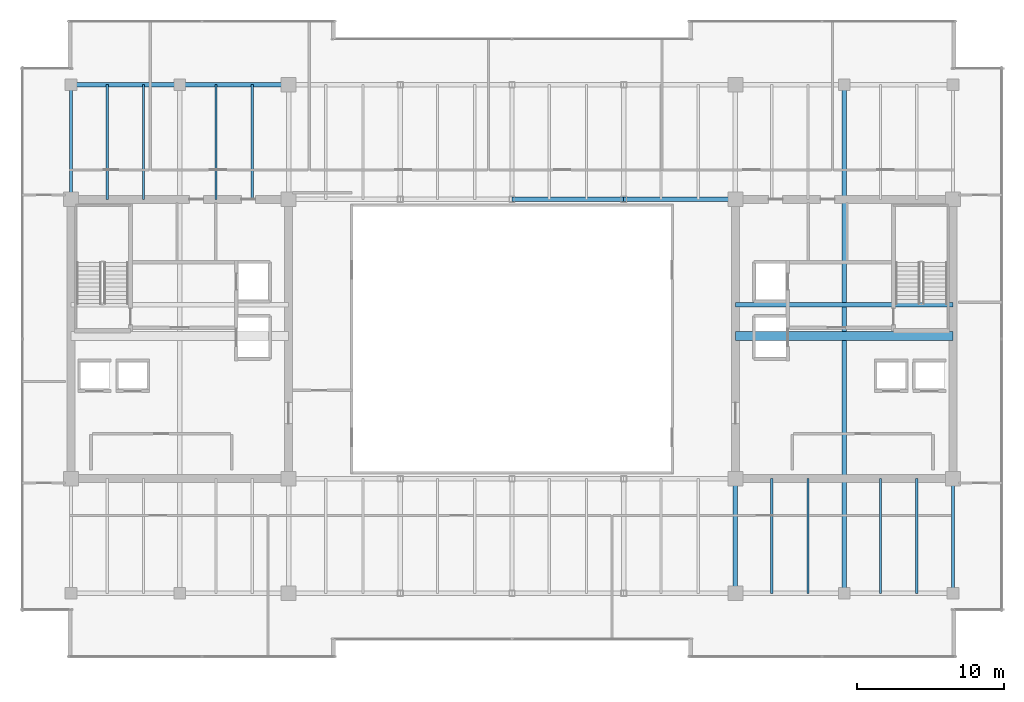
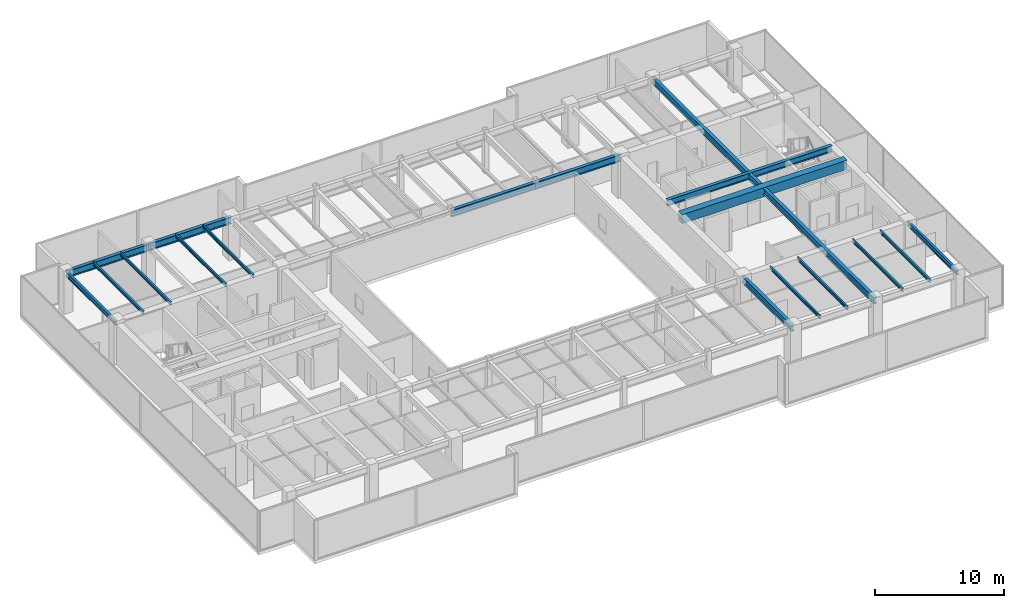
# One storey, part 14 of 33: 18 beams.
"""IFC4 building model written with IfcOpenShell, lengths in metres."""

from ifc_helpers import new_model, si_unit, direction, frame, origin, origin_2d, place, context, subcontext, project, spatial, rectangle, i_section, extrude, source, transform, mapped, material, material_profile, profile_set, type_object, type_shapes, element, save


model = new_model("IFC4")

# Units and contexts
model_context = context("Model", 3, precision=1e-05, world=origin(), true_north=direction((0.0, 1.0)))
body_context = subcontext(model_context, "Body", "Model", "MODEL_VIEW")
ifc_project = project(units=[si_unit("LENGTHUNIT", "METRE"), si_unit("AREAUNIT", "SQUARE_METRE"), si_unit("VOLUMEUNIT", "CUBIC_METRE"), si_unit("PLANEANGLEUNIT", "RADIAN"), si_unit("MASSUNIT", "GRAM", prefix="KILO")], contexts=[model_context])

# Site, building, storey
site_placement = place(None, origin())
site = spatial("IfcSite", under=ifc_project, at=site_placement, CompositionType="ELEMENT")
building_placement = place(site_placement, origin())
building = spatial("IfcBuilding", under=site, at=building_placement, Name="Haelvirn Gate Laboratories", CompositionType="ELEMENT")
storey_placement = place(building_placement, frame((0.0, 0.0, 230.10009765625)))
storey = spatial("IfcBuildingStorey", under=building, at=storey_placement, Name="L55", CompositionType="ELEMENT", Elevation=230.10009765625)

# Beams
ifc_material_1 = material(Name="Steel SM355", Category="steel")
ifc_material_profile_1 = material_profile(ifc_material_1, i_section(OverallWidth=0.300048828125, OverallDepth=0.587890625, WebThickness=0.011962890625, FlangeThickness=0.02001953125, at=origin_2d()), Name="H-588x300x12x20")
ifc_profile_set_1 = profile_set([ifc_material_profile_1], Name="Steel SM355")
beam_type_1 = type_object("IfcBeamType", Name="BM-G-588", PredefinedType="BEAM", material=ifc_profile_set_1)
shared_shape_1 = source(origin(), body_context, "Body", "SweptSolid", [
    extrude(i_section(OverallWidth=0.300048828125, OverallDepth=0.587890625, WebThickness=0.011962890625, FlangeThickness=0.02001953125, at=origin_2d()), origin(), (0.0, 0.0, 1.0), 14.7998046875),
])
beam_1_placement = place(storey_placement, frame((52.60009765625, 26.6201171875, 3.505859375), z_axis=(1.0, 0.0, 0.0), x_axis=(0.0, 1.0, 0.0)))
element("IfcBeam", 1, at=beam_1_placement, inside=storey, type_object=beam_type_1, Name="L55 Stair ST2 Landing Header", PredefinedType="BEAM", context=body_context, shape_type="MappedRepresentation", body=[
    mapped(shared_shape_1, transform((0.0, 0.0, 0.0), scale=1.0)),
])
ifc_material_profile_2 = material_profile(ifc_material_1, i_section(OverallWidth=0.14990234375, OverallDepth=0.300048828125, WebThickness=0.006591796875, FlangeThickness=0.009033203125, at=origin_2d()), Name="H-300x150x6.5x9")
ifc_profile_set_2 = profile_set([ifc_material_profile_2], Name="Steel SM355")
beam_type_2 = type_object("IfcBeamType", Name="BM-J-300", PredefinedType="JOIST", material=ifc_profile_set_2)
shared_shape_2 = source(origin(), body_context, "Body", "SweptSolid", [
    extrude(i_section(OverallWidth=0.14990234375, OverallDepth=0.300048828125, WebThickness=0.006591796875, FlangeThickness=0.009033203125, at=origin_2d()), origin(), (0.0, 0.0, 1.0), 7.800048828125),
])
type_shapes(beam_type_2, [shared_shape_2])
for number, where, z_axis, x_axis, name in (
    (2, (9.8701171875, 33.800048828125, 3.64990234375), (0.0, 1.0, 0.0), (-1.0, 0.0, 0.0), "L55 Composite Lab Joist North X9.87"),
    (3, (12.330078125, 33.800048828125, 3.64990234375), (0.0, 1.0, 0.0), (-1.0, 0.0, 0.0), "L55 Composite Lab Joist North X12.33"),
    (4, (17.27001953125, 33.800048828125, 3.64990234375), (0.0, 1.0, 0.0), (-1.0, 0.0, 0.0), "L55 Composite Lab Joist North X17.27"),
    (5, (19.72998046875, 33.800048828125, 3.64990234375), (0.0, 1.0, 0.0), (-1.0, 0.0, 0.0), "L55 Composite Lab Joist North X19.73"),
    (6, (55.070068359375, 7.0, 3.64990234375), (0.0, 1.0, 0.0), (-1.0, 0.0, 0.0), "L55 Composite Lab Joist South X55.07"),
    (7, (57.530029296875, 7.0, 3.64990234375), (0.0, 1.0, 0.0), (-1.0, 0.0, 0.0), "L55 Composite Lab Joist South X57.53"),
    (8, (62.469970703125, 7.0, 3.64990234375), (0.0, 1.0, 0.0), (-1.0, 0.0, 0.0), "L55 Composite Lab Joist South X62.47"),
    (9, (64.929931640625, 7.0, 3.64990234375), (0.0, 1.0, 0.0), (-1.0, 0.0, 0.0), "L55 Composite Lab Joist South X64.93"),
):
    element("IfcBeam", number, at=place(storey_placement, frame(where, z_axis=z_axis, x_axis=x_axis)), inside=storey, type_object=beam_type_2, Name=name, PredefinedType="JOIST", context=body_context, shape_type="MappedRepresentation", body=[
        mapped(shared_shape_2, transform((0.0, 0.0, 0.0), scale=1.0)),
    ])
shared_shape_3 = source(origin(), body_context, "Body", "SweptSolid", [
    extrude(i_section(OverallWidth=0.300048828125, OverallDepth=0.587890625, WebThickness=0.011962890625, FlangeThickness=0.02001953125, at=origin_2d()), origin(), (0.0, 0.0, 1.0), 34.60009765625),
])
beam_2_placement = place(storey_placement, frame((60.0, 7.0, 3.505859375), z_axis=(0.0, 1.0, 0.0), x_axis=(-1.0, 0.0, 0.0)))
element("IfcBeam", 10, at=beam_2_placement, inside=storey, type_object=beam_type_1, Name="L55 Frame Girder X60.0 (7.0-41.6)", PredefinedType="BEAM", context=body_context, shape_type="MappedRepresentation", body=[
    mapped(shared_shape_3, transform((0.0, 0.0, 0.0), scale=1.0)),
])
shared_shape_4 = source(origin(), body_context, "Body", "SweptSolid", [
    extrude(i_section(OverallWidth=0.300048828125, OverallDepth=0.587890625, WebThickness=0.011962890625, FlangeThickness=0.02001953125, at=origin_2d()), origin(), (0.0, 0.0, 1.0), 7.800048828125),
])
type_shapes(beam_type_1, [shared_shape_1, shared_shape_3, shared_shape_4])
beam_3_placement = place(storey_placement, frame((52.60009765625, 7.0, 3.505859375), z_axis=(0.0, 1.0, 0.0), x_axis=(-1.0, 0.0, 0.0)))
element("IfcBeam", 11, at=beam_3_placement, inside=storey, type_object=beam_type_1, Name="L55 Frame Girder X52.6 (7.0-14.8)", PredefinedType="BEAM", context=body_context, shape_type="MappedRepresentation", body=[
    mapped(shared_shape_4, transform((0.0, 0.0, 0.0), scale=1.0)),
])
ifc_material_2 = material(Name="Concrete C50/60", Category="concrete")
ifc_material_profile_3 = material_profile(ifc_material_2, rectangle(XDim=0.60009765625, YDim=0.85009765625, at=origin_2d()), Name="RCB-600x850")
ifc_profile_set_3 = profile_set([ifc_material_profile_3], Name="Concrete C50/60")
beam_type_3 = type_object("IfcBeamType", Name="BM-RCB-850", PredefinedType="LINTEL", material=ifc_profile_set_3)
shared_shape_5 = source(origin(), body_context, "Body", "SweptSolid", [
    extrude(rectangle(XDim=0.60009765625, YDim=0.85009765625, at=origin_2d()), origin(), (0.0, 0.0, 1.0), 14.7998046875),
])
type_shapes(beam_type_3, [shared_shape_5])
beam_4_placement = place(storey_placement, frame((52.60009765625, 24.5, 3.375), z_axis=(1.0, 0.0, 0.0), x_axis=(0.0, 1.0, 0.0)))
element("IfcBeam", 12, at=beam_4_placement, inside=storey, type_object=beam_type_3, Name="L55 East Core Coupling Beam", PredefinedType="LINTEL", context=body_context, shape_type="MappedRepresentation", body=[
    mapped(shared_shape_5, transform((0.0, 0.0, 0.0), scale=1.0)),
])
ifc_material_profile_4 = material_profile(ifc_material_1, i_section(OverallWidth=0.300048828125, OverallDepth=0.64990234375, WebThickness=0.012939453125, FlangeThickness=0.02197265625, at=origin_2d()), Name="H-650x300x13x22")
ifc_profile_set_4 = profile_set([ifc_material_profile_4], Name="Steel SM355")
beam_type_4 = type_object("IfcBeamType", Name="BM-G-650", PredefinedType="BEAM", material=ifc_profile_set_4)
shared_shape_6 = source(origin(), body_context, "Body", "SweptSolid", [
    extrude(i_section(OverallWidth=0.300048828125, OverallDepth=0.64990234375, WebThickness=0.012939453125, FlangeThickness=0.02197265625, at=origin_2d()), origin(), (0.0, 0.0, 1.0), 7.400146484375),
])
beam_5_placement = place(storey_placement, frame((7.39990234375, 41.60009765625, 3.474853515625), z_axis=(1.0, 0.0, 0.0), x_axis=(0.0, 1.0, 0.0)))
element("IfcBeam", 13, at=beam_5_placement, inside=storey, type_object=beam_type_4, Name="L55 Primary Girder Y41.6 (7.4-14.8)", PredefinedType="BEAM", context=body_context, shape_type="MappedRepresentation", body=[
    mapped(shared_shape_6, transform((0.0, 0.0, 0.0), scale=1.0)),
])
shared_shape_7 = source(origin(), body_context, "Body", "SweptSolid", [
    extrude(i_section(OverallWidth=0.300048828125, OverallDepth=0.64990234375, WebThickness=0.012939453125, FlangeThickness=0.02197265625, at=origin_2d()), origin(), (0.0, 0.0, 1.0), 7.39990234375),
])
beam_6_placement = place(storey_placement, frame((14.800048828125, 41.60009765625, 3.474853515625), z_axis=(1.0, 0.0, 0.0), x_axis=(0.0, 1.0, 0.0)))
element("IfcBeam", 14, at=beam_6_placement, inside=storey, type_object=beam_type_4, Name="L55 Primary Girder Y41.6 (14.8-22.2)", PredefinedType="BEAM", context=body_context, shape_type="MappedRepresentation", body=[
    mapped(shared_shape_7, transform((0.0, 0.0, 0.0), scale=1.0)),
])
shared_shape_8 = source(origin(), body_context, "Body", "SweptSolid", [
    extrude(i_section(OverallWidth=0.300048828125, OverallDepth=0.64990234375, WebThickness=0.012939453125, FlangeThickness=0.02197265625, at=origin_2d()), origin(), (0.0, 0.0, 1.0), 7.60009765625),
])
type_shapes(beam_type_4, [shared_shape_6, shared_shape_7, shared_shape_8])
for number, where, z_axis, x_axis, name in (
    (15, (37.39990234375, 33.800048828125, 3.474853515625), (1.0, 0.0, 0.0), (0.0, 1.0, 0.0), "L55 Primary Girder Y33.8 (37.4-45.0)"),
    (16, (45.0, 33.800048828125, 3.474853515625), (1.0, 0.0, 0.0), (0.0, 1.0, 0.0), "L55 Primary Girder Y33.8 (45.0-52.6)"),
):
    element("IfcBeam", number, at=place(storey_placement, frame(where, z_axis=z_axis, x_axis=x_axis)), inside=storey, type_object=beam_type_4, Name=name, PredefinedType="BEAM", context=body_context, shape_type="MappedRepresentation", body=[
        mapped(shared_shape_8, transform((0.0, 0.0, 0.0), scale=1.0)),
    ])
ifc_material_profile_5 = material_profile(ifc_material_1, i_section(OverallWidth=0.199951171875, OverallDepth=0.449951171875, WebThickness=0.009033203125, FlangeThickness=0.013916015625, at=origin_2d()), Name="H-450x200x9x14")
ifc_profile_set_5 = profile_set([ifc_material_profile_5], Name="Steel SM355")
beam_type_5 = type_object("IfcBeamType", Name="BM-SP-450", PredefinedType="SPANDREL", material=ifc_profile_set_5)
shared_shape_9 = source(origin(), body_context, "Body", "SweptSolid", [
    extrude(i_section(OverallWidth=0.199951171875, OverallDepth=0.449951171875, WebThickness=0.009033203125, FlangeThickness=0.013916015625, at=origin_2d()), origin(), (0.0, 0.0, 1.0), 7.800048828125),
])
type_shapes(beam_type_5, [shared_shape_9])
for number, where, z_axis, x_axis, name in (
    (17, (7.39990234375, 33.800048828125, 3.574951171875), (0.0, 1.0, 0.0), (-1.0, 0.0, 0.0), "L55 Perimeter Spandrel X7.4 (33.8-41.6)"),
    (18, (67.39990234375, 7.0, 3.574951171875), (0.0, 1.0, 0.0), (-1.0, 0.0, 0.0), "L55 Perimeter Spandrel X67.4 (7.0-14.8)"),
):
    element("IfcBeam", number, at=place(storey_placement, frame(where, z_axis=z_axis, x_axis=x_axis)), inside=storey, type_object=beam_type_5, Name=name, PredefinedType="SPANDREL", context=body_context, shape_type="MappedRepresentation", body=[
        mapped(shared_shape_9, transform((0.0, 0.0, 0.0), scale=1.0)),
    ])

save(model, "model.ifc")
